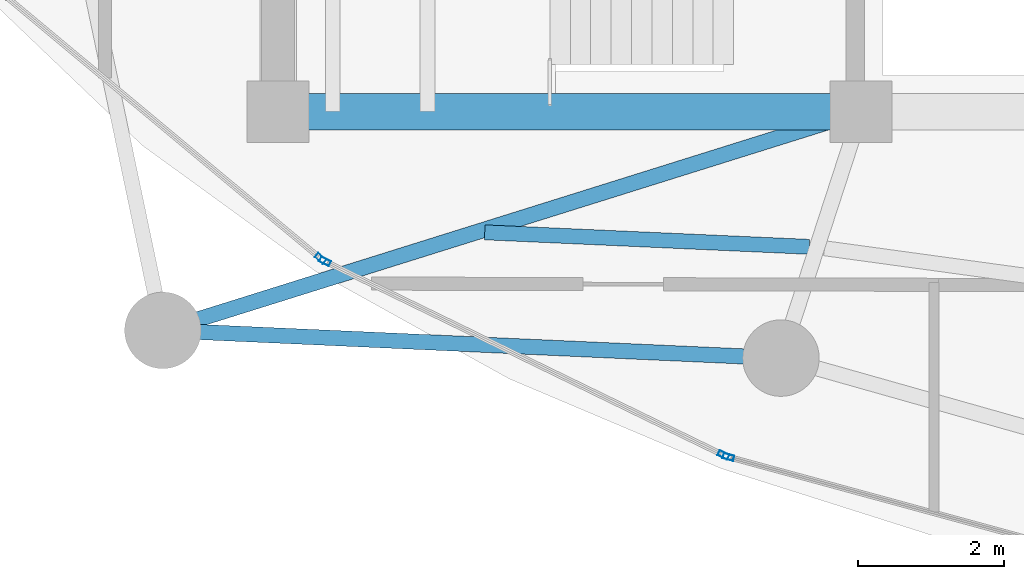
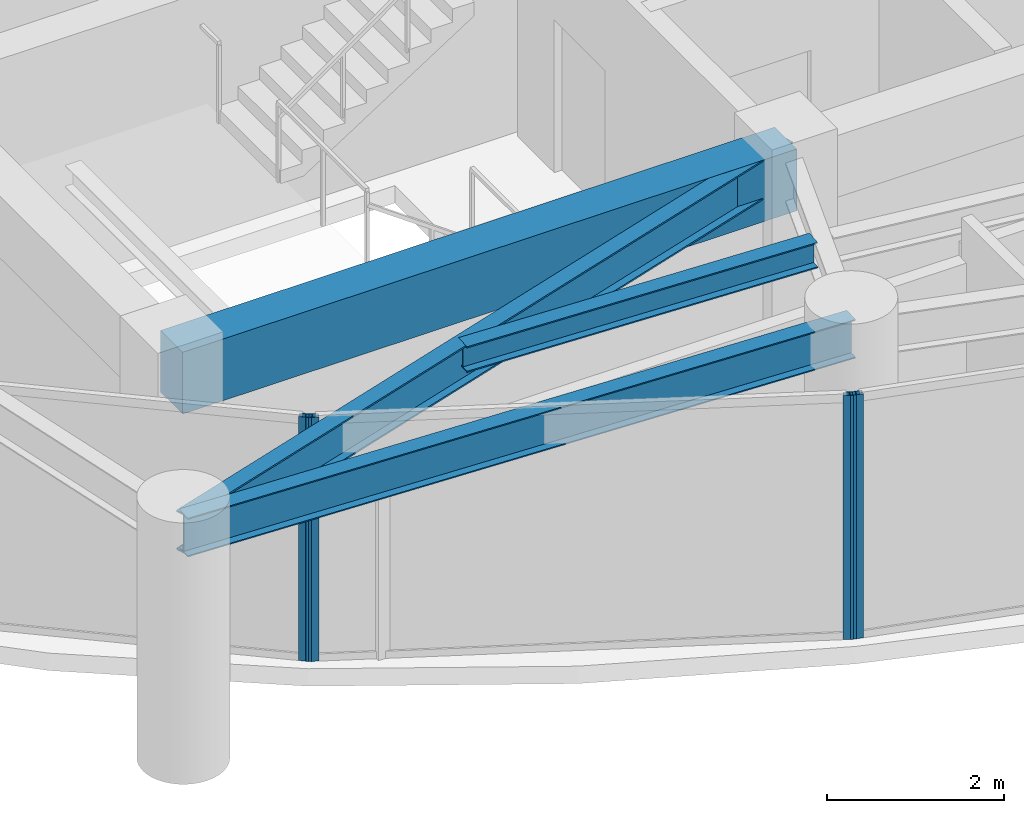
# One storey, part 2 of 31: 4 beams, 4 members, 3 elements without a shape of their own.
"""IFC4 building model written with IfcOpenShell, lengths in metres."""

from ifc_helpers import new_model, si_unit, direction, frame, origin, origin_2d, place, context, subcontext, project, spatial, rectangle, hollow_rectangle, i_section, extrude, material, layer, layer_set, material_profile, profile_set, type_object, element, aggregate, save


model = new_model("IFC4")

# Units and contexts
model_context = context("Model", 3, precision=1e-05, world=origin(), true_north=direction((0.0, 1.0)))
body_context = subcontext(model_context, "Body", "Model", "MODEL_VIEW")
ifc_project = project(units=[si_unit("LENGTHUNIT", "METRE"), si_unit("AREAUNIT", "SQUARE_METRE"), si_unit("VOLUMEUNIT", "CUBIC_METRE"), si_unit("PLANEANGLEUNIT", "RADIAN"), si_unit("MASSUNIT", "GRAM", prefix="KILO")], contexts=[model_context])

# Site, building, storey
site_placement = place(None, origin())
site = spatial("IfcSite", under=ifc_project, at=site_placement, CompositionType="ELEMENT")
building_placement = place(site_placement, origin())
building = spatial("IfcBuilding", under=site, at=building_placement, Name="Kazevale Care Tower and Concert Hall", CompositionType="ELEMENT")
storey_placement = place(building_placement, frame((0.0, 0.0, 220.800048828125)))
storey = spatial("IfcBuildingStorey", under=building, at=storey_placement, Name="L58", CompositionType="ELEMENT", Elevation=220.800048828125)

# Curtain wall, member
ifc_material_1 = material(Name="Aluminium 6063-T6 and Low-E Glass", Category="aluminium")
ifc_layer = layer(ifc_material_1, 0.179931640625)
ifc_layer_set = layer_set([ifc_layer], Name="Aluminium 6063-T6 and Low-E Glass")
curtain_wall_type = type_object("IfcCurtainWallType", Name="Sheltered Concave Balcony Curtain Wall CW-5", PredefinedType="NOTDEFINED", material=ifc_layer_set)
curtain_wall_1_placement = place(storey_placement, origin())
curtain_wall_1 = element("IfcCurtainWall", 1, at=curtain_wall_1_placement, inside=storey, type_object=curtain_wall_type, Name="cw:L58:f08", PredefinedType="NOTDEFINED")
ifc_material_2 = material(Name="Aluminium 6063-T6", Category="aluminium")
ifc_material_profile_1 = material_profile(ifc_material_2, hollow_rectangle(XDim=0.074951171875, YDim=0.14990234375, WallThickness=0.00390625, at=origin_2d()), Name="ALU75x150x4")
ifc_profile_set_1 = profile_set([ifc_material_profile_1], Name="Aluminium 6063-T6")
member_type = type_object("IfcMemberType", Name="CW-5 Mullion ALU75x150x4", PredefinedType="MULLION", material=ifc_profile_set_1)
member_1_placement = place(storey_placement, frame((28.18017578125, 18.863037109375, 0.0), z_axis=(0.0, 0.0, 1.0), x_axis=(-0.262848968947, -0.964836991167, 0.0)))
member_1 = element("IfcMember", 2, at=member_1_placement, type_object=member_type, Name="CW-5 mullion 2", PredefinedType="MULLION", context=body_context, shape_type="SweptSolid", body=[
    extrude(hollow_rectangle(XDim=0.074951171875, YDim=0.14990234375, WallThickness=0.00390625, at=origin_2d()), origin(), (0.0, 0.0, 1.0), 3.35986328125),
])
aggregate(curtain_wall_1, [member_1])

# Curtain wall, members
curtain_wall_2_placement = place(storey_placement, origin())
curtain_wall_2 = element("IfcCurtainWall", 3, at=curtain_wall_2_placement, inside=storey, type_object=curtain_wall_type, Name="cw:L58:f09", PredefinedType="NOTDEFINED")
member_2_placement = place(storey_placement, frame((28.1103515625, 18.889404296875, 0.0), z_axis=(0.0, 0.0, 1.0), x_axis=(-0.437238357087, -0.89934566163, 0.0)))
member_2 = element("IfcMember", 4, at=member_2_placement, type_object=member_type, Name="CW-5 mullion 1", PredefinedType="MULLION", context=body_context, shape_type="SweptSolid", body=[
    extrude(hollow_rectangle(XDim=0.074951171875, YDim=0.14990234375, WallThickness=0.00390625, at=origin_2d()), origin(), (0.0, 0.0, 1.0), 3.35986328125),
])
member_3_placement = place(storey_placement, frame((22.644775390625, 21.546630859375, 0.0), z_axis=(0.0, 0.0, 1.0), x_axis=(-0.437238357087, -0.89934566163, 0.0)))
member_3 = element("IfcMember", 5, at=member_3_placement, type_object=member_type, Name="CW-5 mullion 2", PredefinedType="MULLION", context=body_context, shape_type="SweptSolid", body=[
    extrude(hollow_rectangle(XDim=0.074951171875, YDim=0.14990234375, WallThickness=0.00390625, at=origin_2d()), origin(), (0.0, 0.0, 1.0), 3.35986328125),
])
aggregate(curtain_wall_2, [member_2, member_3])

# Curtain wall, member
curtain_wall_3_placement = place(storey_placement, origin())
curtain_wall_3 = element("IfcCurtainWall", 6, at=curtain_wall_3_placement, inside=storey, type_object=curtain_wall_type, Name="cw:L58:f10", PredefinedType="NOTDEFINED")
member_4_placement = place(storey_placement, frame((22.582275390625, 21.5869140625, 0.0), z_axis=(0.0, 0.0, 1.0), x_axis=(-0.639961217204, -0.768407210062, 0.0)))
member_4 = element("IfcMember", 7, at=member_4_placement, type_object=member_type, Name="CW-5 mullion 1", PredefinedType="MULLION", context=body_context, shape_type="SweptSolid", body=[
    extrude(hollow_rectangle(XDim=0.074951171875, YDim=0.14990234375, WallThickness=0.00390625, at=origin_2d()), origin(), (0.0, 0.0, 1.0), 3.35986328125),
])
aggregate(curtain_wall_3, [member_4])

# Beams
ifc_material_3 = material(Name="Concrete C60", Category="concrete")
ifc_material_profile_2 = material_profile(ifc_material_3, rectangle(XDim=0.5, YDim=0.85009765625, at=origin_2d()), Name="RC-B500x850")
ifc_profile_set_2 = profile_set([ifc_material_profile_2], Name="Concrete C60")
beam_type_1 = type_object("IfcBeamType", Name="Core Coupling Beam RC500x850", PredefinedType="LINTEL", material=ifc_profile_set_2)
beam_1_placement = place(storey_placement, frame((22.0, 23.60009765625, 2.93505859375), z_axis=(1.0, 0.0, 0.0), x_axis=(0.0, 1.0, 0.0)))
element("IfcBeam", 8, at=beam_1_placement, inside=storey, type_object=beam_type_1, Name="beam:L58:coretie:1", PredefinedType="LINTEL", context=body_context, shape_type="SweptSolid", body=[
    extrude(rectangle(XDim=0.5, YDim=0.85009765625, at=origin_2d()), origin(), (0.0, 0.0, 1.0), 8.0),
])
ifc_material_4 = material(Name="Steel ASTM A572 Gr 50", Category="steel")
ifc_material_profile_3 = material_profile(ifc_material_4, i_section(OverallWidth=0.2119140625, OverallDepth=0.5439453125, WebThickness=0.01318359375, FlangeThickness=0.021240234375, at=origin_2d()), Name="W530x123")
ifc_profile_set_3 = profile_set([ifc_material_profile_3], Name="Steel ASTM A572 Gr 50")
beam_type_2 = type_object("IfcBeamType", Name="Radial Floor Girder W530x123", PredefinedType="BEAM", material=ifc_profile_set_3)
beam_2_placement = place(storey_placement, frame((30.0, 23.60009765625, 3.087890625), z_axis=(-0.954303255322, -0.298839918486, 0.0), x_axis=(0.298839918486, -0.954303255322, 0.0)))
element("IfcBeam", 9, at=beam_2_placement, inside=storey, type_object=beam_type_2, Name="beam:L58:rad:10", PredefinedType="BEAM", context=body_context, shape_type="SweptSolid", body=[
    extrude(i_section(OverallWidth=0.2119140625, OverallDepth=0.5439453125, WebThickness=0.01318359375, FlangeThickness=0.021240234375, at=origin_2d()), origin(), (0.0, 0.0, 1.0), 10.038818359375),
])
ifc_material_profile_4 = material_profile(ifc_material_4, i_section(OverallWidth=0.205078125, OverallDepth=0.35400390625, WebThickness=0.009521484375, FlangeThickness=0.016845703125, at=origin_2d()), Name="W360x79")
ifc_profile_set_4 = profile_set([ifc_material_profile_4], Name="Steel ASTM A572 Gr 50")
beam_type_3 = type_object("IfcBeamType", Name="Secondary Floor Joist W360x79", PredefinedType="JOIST", material=ifc_profile_set_4)
beam_3_placement = place(storey_placement, frame((24.8359375, 21.945068359375, 3.182861328125), z_axis=(0.999003687274, -0.044627713502, 0.0), x_axis=(0.044627713502, 0.999003687274, 0.0)))
element("IfcBeam", 10, at=beam_3_placement, inside=storey, type_object=beam_type_3, Name="beam:L58:joist:10", PredefinedType="JOIST", context=body_context, shape_type="SweptSolid", body=[
    extrude(i_section(OverallWidth=0.205078125, OverallDepth=0.35400390625, WebThickness=0.009521484375, FlangeThickness=0.016845703125, at=origin_2d()), origin(), (0.0, 0.0, 1.0), 4.45849609375),
])
ifc_material_profile_5 = material_profile(ifc_material_4, i_section(OverallWidth=0.208984375, OverallDepth=0.532958984375, WebThickness=0.01025390625, FlangeThickness=0.015625, at=origin_2d()), Name="W530x92")
ifc_profile_set_5 = profile_set([ifc_material_profile_5], Name="Steel ASTM A572 Gr 50")
beam_type_4 = type_object("IfcBeamType", Name="Upper Ring Beam W530x92", PredefinedType="BEAM", material=ifc_profile_set_5)
beam_4_placement = place(storey_placement, frame((20.419921875, 20.60009765625, 3.093505859375), z_axis=(0.998996808771, -0.044781425441, 0.0), x_axis=(0.044781425441, 0.998996808771, 0.0)))
element("IfcBeam", 11, at=beam_4_placement, inside=storey, type_object=beam_type_4, Name="beam:L58:ring:10", PredefinedType="BEAM", context=body_context, shape_type="SweptSolid", body=[
    extrude(i_section(OverallWidth=0.208984375, OverallDepth=0.532958984375, WebThickness=0.01025390625, FlangeThickness=0.015625, at=origin_2d()), origin(), (0.0, 0.0, 1.0), 8.488525390625),
])

save(model, "model.ifc")
